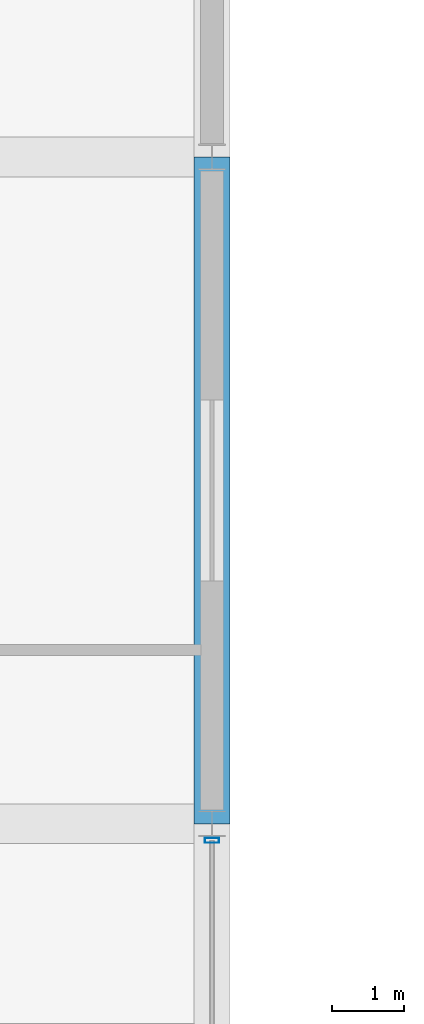
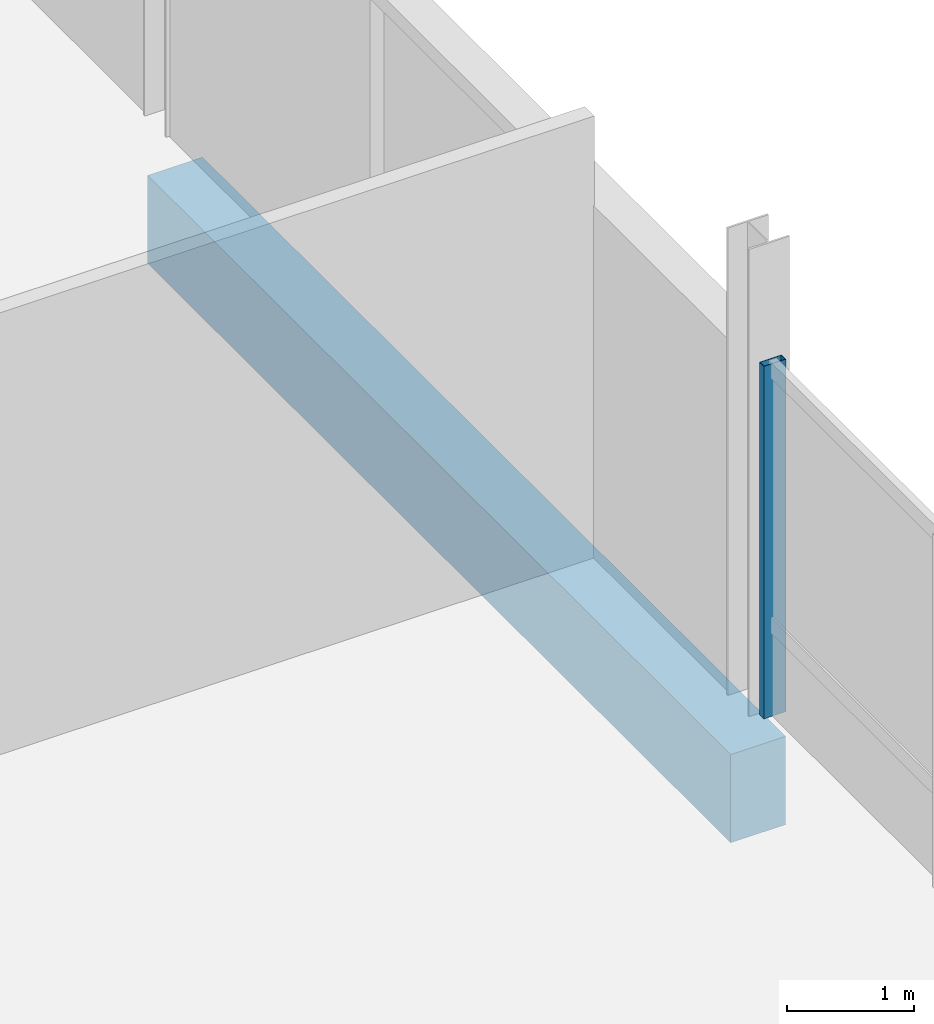
# One storey, part 30 of 77: 1 beam, 1 member, 1 element without a shape of its own.
"""IFC4 building model written with IfcOpenShell, lengths in metres."""

from ifc_helpers import new_model, si_unit, direction, frame, origin, origin_2d, place, context, subcontext, project, spatial, rectangle, hollow_rectangle, extrude, material, layer, layer_set, material_profile, profile_set, type_object, element, aggregate, save


model = new_model("IFC4")

# Units and contexts
model_context = context("Model", 3, precision=1e-05, world=origin(), true_north=direction((0.0, 1.0)))
body_context = subcontext(model_context, "Body", "Model", "MODEL_VIEW")
ifc_project = project(units=[si_unit("LENGTHUNIT", "METRE"), si_unit("AREAUNIT", "SQUARE_METRE"), si_unit("VOLUMEUNIT", "CUBIC_METRE"), si_unit("PLANEANGLEUNIT", "RADIAN"), si_unit("MASSUNIT", "GRAM", prefix="KILO")], contexts=[model_context])

# Site, building, storey
site_placement = place(None, origin())
site = spatial("IfcSite", under=ifc_project, at=site_placement, CompositionType="ELEMENT")
building_placement = place(site_placement, origin())
building = spatial("IfcBuilding", under=site, at=building_placement, Name="Meriwether Solvik Hall", CompositionType="ELEMENT")
storey_placement = place(building_placement, frame((0.0, 0.0, 9.89990234375)))
storey = spatial("IfcBuildingStorey", under=building, at=storey_placement, Name="L02", CompositionType="ELEMENT", Elevation=9.89990234375)

# Beam
ifc_material_1 = material(Name="Concrete C40/50", Category="concrete")
ifc_material_profile_1 = material_profile(ifc_material_1, rectangle(XDim=0.5, YDim=0.85009765625, at=origin_2d()), Name="RCB-500X850")
ifc_profile_set_1 = profile_set([ifc_material_profile_1], Name="Concrete C40/50")
beam_type = type_object("IfcBeamType", Name="BM-RC-500X850", PredefinedType="BEAM", material=ifc_profile_set_1)
beam_placement = place(storey_placement, frame((114.199951171875, 14.0, -0.875), z_axis=(0.0, 1.0, 0.0), x_axis=(-1.0, 0.0, 0.0)))
element("IfcBeam", 1, at=beam_placement, inside=storey, type_object=beam_type, Name="Podium Girder 13:B-C (L02)", PredefinedType="BEAM", context=body_context, shape_type="SweptSolid", body=[
    extrude(rectangle(XDim=0.5, YDim=0.85009765625, at=origin_2d()), origin(), (0.0, 0.0, 1.0), 9.199951171875),
])

# Curtain wall, member
ifc_material_2 = material(Name="Thermally Broken Anodised Aluminium 6063-T6 and Low-E Glass", Category="aluminium")
ifc_layer = layer(ifc_material_2, 0.179931640625)
ifc_layer_set = layer_set([ifc_layer], Name="Thermally Broken Anodised Aluminium 6063-T6 and Low-E Glass")
curtain_wall_type = type_object("IfcCurtainWallType", Name="CW-SF-POD-C", PredefinedType="USERDEFINED", material=ifc_layer_set)
curtain_wall_placement = place(storey_placement, origin())
curtain_wall = element("IfcCurtainWall", 2, at=curtain_wall_placement, inside=storey, type_object=curtain_wall_type, Name="Curtain Wall wing_Y13_1_37 (L02)", ObjectType="STICK STOREFRONT GLAZING", PredefinedType="USERDEFINED")
ifc_material_3 = material(Name="Anodised Aluminium 6063-T6", Category="aluminium")
ifc_material_profile_2 = material_profile(ifc_material_3, hollow_rectangle(XDim=0.070068359375, YDim=0.199951171875, WallThickness=0.0048828125, at=origin_2d()), Name="CWM-70X200")
ifc_profile_set_2 = profile_set([ifc_material_profile_2], Name="Anodised Aluminium 6063-T6")
member_type = type_object("IfcMemberType", Name="CW-MUL-70X200", PredefinedType="MULLION", material=ifc_profile_set_2)
member_placement = place(storey_placement, frame((114.199951171875, 13.77197265625, 0.0), z_axis=(0.0, 0.0, 1.0), x_axis=(0.0, -1.0, 0.0)))
member = element("IfcMember", 3, at=member_placement, type_object=member_type, Name="Curtain Wall Mullion 1", PredefinedType="MULLION", context=body_context, shape_type="SweptSolid", body=[
    extrude(hollow_rectangle(XDim=0.070068359375, YDim=0.199951171875, WallThickness=0.0048828125, at=origin_2d()), origin(), (0.0, 0.0, 1.0), 3.39501953125),
])
aggregate(curtain_wall, [member])

save(model, "model.ifc")
